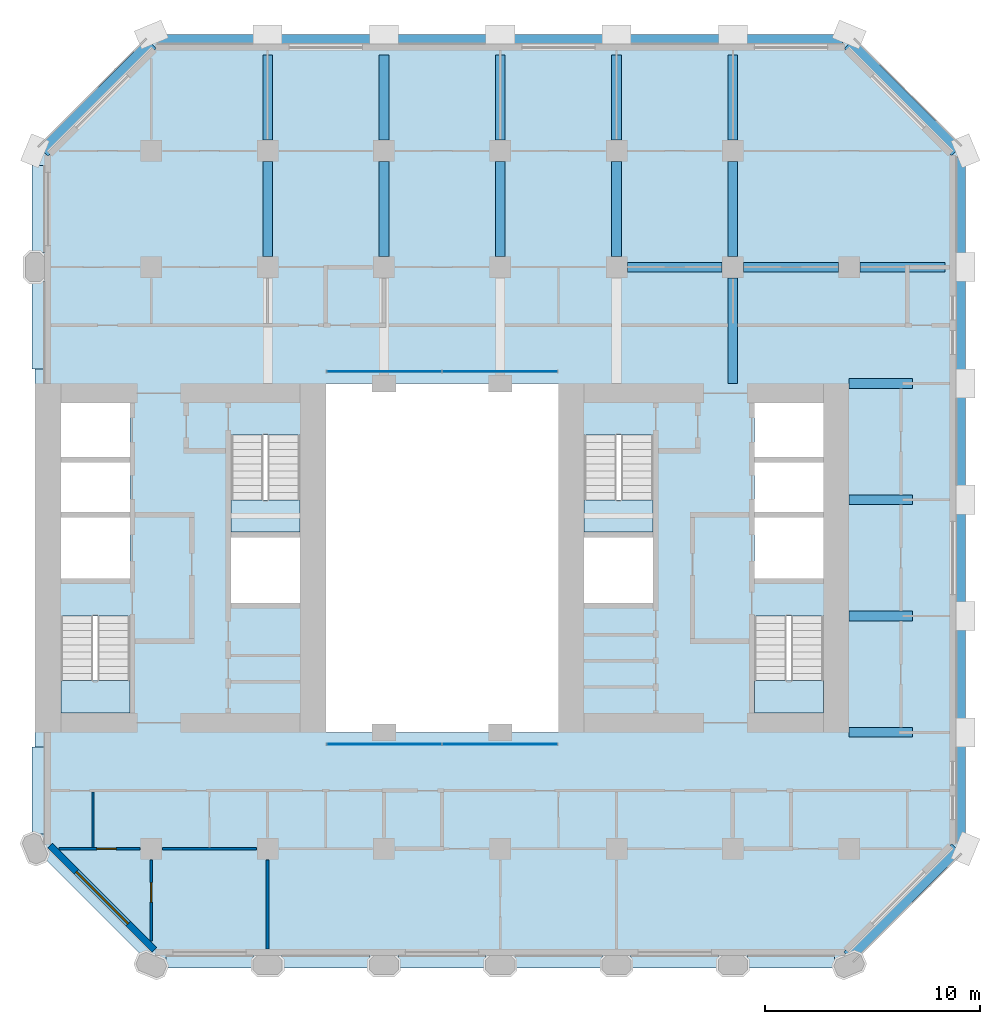
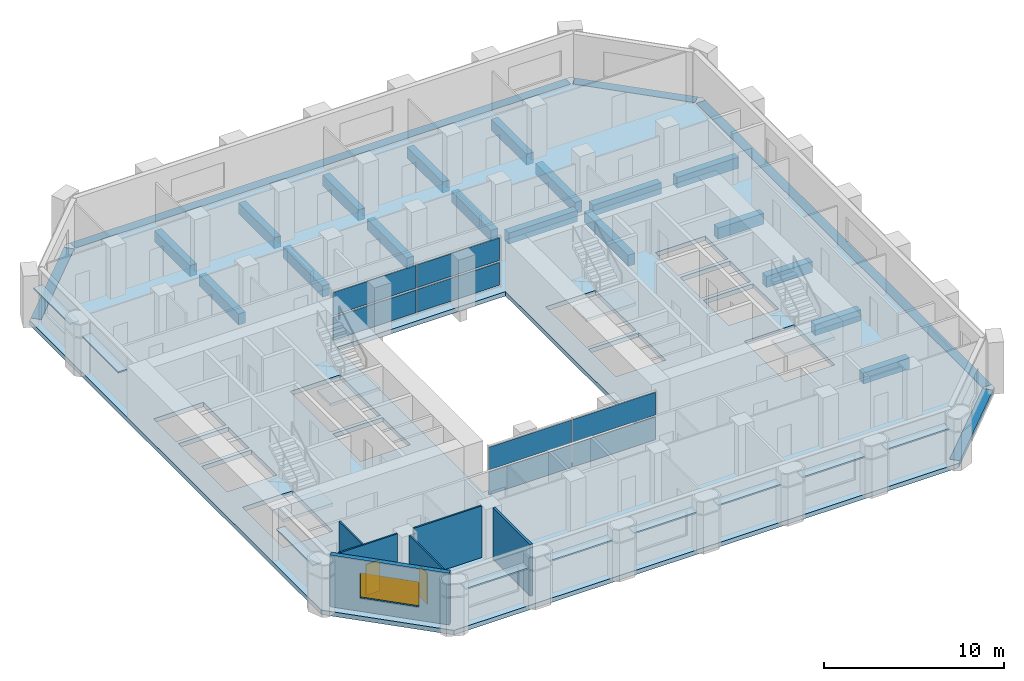
# One storey, part 3 of 11: 23 beams, 17 plates, 6 walls, 5 slabs, 2 doors, 1 window, 3 openings, 6 elements without a shape of their own.
"""IFC4 building model written with IfcOpenShell, lengths in metres."""

from ifc_helpers import new_model, si_unit, direction, frame, frame_2d, origin, origin_2d, place, context, subcontext, project, spatial, polyline, rectangle, outline, extrude, material, layer, layer_set, material_profile, profile_set, type_object, element, fill, aggregate, save


model = new_model("IFC4")

# Units and contexts
model_context = context("Model", 3, precision=1e-05, world=origin(), true_north=direction((0.0, 1.0)))
body_context = subcontext(model_context, "Body", "Model", "MODEL_VIEW")
ifc_project = project(units=[si_unit("LENGTHUNIT", "METRE"), si_unit("AREAUNIT", "SQUARE_METRE"), si_unit("VOLUMEUNIT", "CUBIC_METRE"), si_unit("PLANEANGLEUNIT", "RADIAN"), si_unit("MASSUNIT", "GRAM", prefix="KILO")], contexts=[model_context])

# Site, building, storey
site_placement = place(None, origin())
site = spatial("IfcSite", under=ifc_project, at=site_placement, CompositionType="ELEMENT")
building_placement = place(site_placement, origin())
building = spatial("IfcBuilding", under=site, at=building_placement, Name="Tabaq Tower and Sports Hall", CompositionType="ELEMENT")
storey_placement = place(building_placement, frame((0.0, 0.0, 72.60009765625)))
storey = spatial("IfcBuildingStorey", under=building, at=storey_placement, Name="L16", CompositionType="ELEMENT", Elevation=72.60009765625)

# Beams
ifc_material_1 = material(Name="Concrete C40/50", Category="concrete")
ifc_material_profile_1 = material_profile(ifc_material_1, rectangle(XDim=0.449951171875, YDim=0.75, at=origin_2d()), Name="CB 450x750")
ifc_profile_set_1 = profile_set([ifc_material_profile_1], Name="Concrete C40/50")
beam_type_1 = type_object("IfcBeamType", Name="PT CANTILEVER BEAM CB 450x750 C40/50", PredefinedType="BEAM", material=ifc_profile_set_1)
for number, where, z_axis, x_axis, name in (
    (1, (46.14990234375, 16.199951171875, -0.675048828125), (-1.0, 0.0, 0.0), (0.0, -1.0, 0.0), "Cantilever Beam L16 E3 span 1"),
    (2, (46.14990234375, 21.60009765625, -0.675048828125), (-1.0, 0.0, 0.0), (0.0, -1.0, 0.0), "Cantilever Beam L16 E4 span 1"),
    (3, (46.14990234375, 27.0, -0.675048828125), (-1.0, 0.0, 0.0), (0.0, -1.0, 0.0), "Cantilever Beam L16 E5 span 1"),
    (4, (46.14990234375, 32.39990234375, -0.675048828125), (-1.0, 0.0, 0.0), (0.0, -1.0, 0.0), "Cantilever Beam L16 E6 span 1"),
):
    element("IfcBeam", number, at=place(storey_placement, frame(where, z_axis=z_axis, x_axis=x_axis)), inside=storey, type_object=beam_type_1, Name=name, PredefinedType="BEAM", context=body_context, shape_type="SweptSolid", body=[
        extrude(rectangle(XDim=0.449951171875, YDim=0.75, at=origin_2d()), origin(), (0.0, 0.0, 1.0), 2.949951171875),
    ])
beam_1_placement = place(storey_placement, frame((47.64990234375, 37.800048828125, -0.675048828125), z_axis=(-1.0, 0.0, 0.0), x_axis=(0.0, -1.0, 0.0)))
element("IfcBeam", 5, at=beam_1_placement, inside=storey, type_object=beam_type_1, Name="Cantilever Beam L16 E7 span 1", PredefinedType="BEAM", context=body_context, shape_type="SweptSolid", body=[
    extrude(rectangle(XDim=0.449951171875, YDim=0.75, at=origin_2d()), origin(), (0.0, 0.0, 1.0), 3.949951171875),
])
beam_2_placement = place(storey_placement, frame((42.699951171875, 37.800048828125, -0.675048828125), z_axis=(-1.0, 0.0, 0.0), x_axis=(0.0, -1.0, 0.0)))
element("IfcBeam", 6, at=beam_2_placement, inside=storey, type_object=beam_type_1, Name="Cantilever Beam L16 E7 span 2", PredefinedType="BEAM", context=body_context, shape_type="SweptSolid", body=[
    extrude(rectangle(XDim=0.449951171875, YDim=0.75, at=origin_2d()), origin(), (0.0, 0.0, 1.0), 4.39990234375),
])
beam_3_placement = place(storey_placement, frame((37.300048828125, 37.800048828125, -0.675048828125), z_axis=(-1.0, 0.0, 0.0), x_axis=(0.0, -1.0, 0.0)))
element("IfcBeam", 7, at=beam_3_placement, inside=storey, type_object=beam_type_1, Name="Cantilever Beam L16 E7 span 3", PredefinedType="BEAM", context=body_context, shape_type="SweptSolid", body=[
    extrude(rectangle(XDim=0.449951171875, YDim=0.75, at=origin_2d()), origin(), (0.0, 0.0, 1.0), 4.400146484375),
])
beam_4_placement = place(storey_placement, frame((16.199951171875, 47.64990234375, -0.675048828125), z_axis=(0.0, -1.0, 0.0), x_axis=(1.0, 0.0, 0.0)))
element("IfcBeam", 8, at=beam_4_placement, inside=storey, type_object=beam_type_1, Name="Cantilever Beam L16 N3 span 1", PredefinedType="BEAM", context=body_context, shape_type="SweptSolid", body=[
    extrude(rectangle(XDim=0.449951171875, YDim=0.75, at=origin_2d()), origin(), (0.0, 0.0, 1.0), 3.949951171875),
])
beam_5_placement = place(storey_placement, frame((16.199951171875, 42.699951171875, -0.675048828125), z_axis=(0.0, -1.0, 0.0), x_axis=(1.0, 0.0, 0.0)))
element("IfcBeam", 9, at=beam_5_placement, inside=storey, type_object=beam_type_1, Name="Cantilever Beam L16 N3 span 2", PredefinedType="BEAM", context=body_context, shape_type="SweptSolid", body=[
    extrude(rectangle(XDim=0.449951171875, YDim=0.75, at=origin_2d()), origin(), (0.0, 0.0, 1.0), 4.39990234375),
])
beam_6_placement = place(storey_placement, frame((21.60009765625, 47.64990234375, -0.675048828125), z_axis=(0.0, -1.0, 0.0), x_axis=(1.0, 0.0, 0.0)))
element("IfcBeam", 10, at=beam_6_placement, inside=storey, type_object=beam_type_1, Name="Cantilever Beam L16 N4 span 1", PredefinedType="BEAM", context=body_context, shape_type="SweptSolid", body=[
    extrude(rectangle(XDim=0.449951171875, YDim=0.75, at=origin_2d()), origin(), (0.0, 0.0, 1.0), 3.949951171875),
])
beam_7_placement = place(storey_placement, frame((21.60009765625, 42.699951171875, -0.675048828125), z_axis=(0.0, -1.0, 0.0), x_axis=(1.0, 0.0, 0.0)))
element("IfcBeam", 11, at=beam_7_placement, inside=storey, type_object=beam_type_1, Name="Cantilever Beam L16 N4 span 2", PredefinedType="BEAM", context=body_context, shape_type="SweptSolid", body=[
    extrude(rectangle(XDim=0.449951171875, YDim=0.75, at=origin_2d()), origin(), (0.0, 0.0, 1.0), 4.39990234375),
])
beam_8_placement = place(storey_placement, frame((27.0, 47.64990234375, -0.675048828125), z_axis=(0.0, -1.0, 0.0), x_axis=(1.0, 0.0, 0.0)))
element("IfcBeam", 12, at=beam_8_placement, inside=storey, type_object=beam_type_1, Name="Cantilever Beam L16 N5 span 1", PredefinedType="BEAM", context=body_context, shape_type="SweptSolid", body=[
    extrude(rectangle(XDim=0.449951171875, YDim=0.75, at=origin_2d()), origin(), (0.0, 0.0, 1.0), 3.949951171875),
])
beam_9_placement = place(storey_placement, frame((27.0, 42.699951171875, -0.675048828125), z_axis=(0.0, -1.0, 0.0), x_axis=(1.0, 0.0, 0.0)))
element("IfcBeam", 13, at=beam_9_placement, inside=storey, type_object=beam_type_1, Name="Cantilever Beam L16 N5 span 2", PredefinedType="BEAM", context=body_context, shape_type="SweptSolid", body=[
    extrude(rectangle(XDim=0.449951171875, YDim=0.75, at=origin_2d()), origin(), (0.0, 0.0, 1.0), 4.39990234375),
])
beam_10_placement = place(storey_placement, frame((32.39990234375, 47.64990234375, -0.675048828125), z_axis=(0.0, -1.0, 0.0), x_axis=(1.0, 0.0, 0.0)))
element("IfcBeam", 14, at=beam_10_placement, inside=storey, type_object=beam_type_1, Name="Cantilever Beam L16 N6 span 1", PredefinedType="BEAM", context=body_context, shape_type="SweptSolid", body=[
    extrude(rectangle(XDim=0.449951171875, YDim=0.75, at=origin_2d()), origin(), (0.0, 0.0, 1.0), 3.949951171875),
])
beam_11_placement = place(storey_placement, frame((32.39990234375, 42.699951171875, -0.675048828125), z_axis=(0.0, -1.0, 0.0), x_axis=(1.0, 0.0, 0.0)))
element("IfcBeam", 15, at=beam_11_placement, inside=storey, type_object=beam_type_1, Name="Cantilever Beam L16 N6 span 2", PredefinedType="BEAM", context=body_context, shape_type="SweptSolid", body=[
    extrude(rectangle(XDim=0.449951171875, YDim=0.75, at=origin_2d()), origin(), (0.0, 0.0, 1.0), 4.39990234375),
])
beam_12_placement = place(storey_placement, frame((37.800048828125, 47.64990234375, -0.675048828125), z_axis=(0.0, -1.0, 0.0), x_axis=(1.0, 0.0, 0.0)))
element("IfcBeam", 16, at=beam_12_placement, inside=storey, type_object=beam_type_1, Name="Cantilever Beam L16 N7 span 1", PredefinedType="BEAM", context=body_context, shape_type="SweptSolid", body=[
    extrude(rectangle(XDim=0.449951171875, YDim=0.75, at=origin_2d()), origin(), (0.0, 0.0, 1.0), 3.949951171875),
])
beam_13_placement = place(storey_placement, frame((37.800048828125, 42.699951171875, -0.675048828125), z_axis=(0.0, -1.0, 0.0), x_axis=(1.0, 0.0, 0.0)))
element("IfcBeam", 17, at=beam_13_placement, inside=storey, type_object=beam_type_1, Name="Cantilever Beam L16 N7 span 2", PredefinedType="BEAM", context=body_context, shape_type="SweptSolid", body=[
    extrude(rectangle(XDim=0.449951171875, YDim=0.75, at=origin_2d()), origin(), (0.0, 0.0, 1.0), 4.39990234375),
])
beam_14_placement = place(storey_placement, frame((37.800048828125, 37.300048828125, -0.675048828125), z_axis=(0.0, -1.0, 0.0), x_axis=(1.0, 0.0, 0.0)))
element("IfcBeam", 18, at=beam_14_placement, inside=storey, type_object=beam_type_1, Name="Cantilever Beam L16 N7 span 3", PredefinedType="BEAM", context=body_context, shape_type="SweptSolid", body=[
    extrude(rectangle(XDim=0.449951171875, YDim=0.75, at=origin_2d()), origin(), (0.0, 0.0, 1.0), 4.900146484375),
])
ifc_material_2 = material(Name="Concrete C40/50", Category="concrete")
ifc_material_profile_2 = material_profile(ifc_material_2, rectangle(XDim=0.60009765625, YDim=0.300048828125, at=origin_2d()), Name="EB 600x300")
ifc_profile_set_2 = profile_set([ifc_material_profile_2], Name="Concrete C40/50")
beam_type_2 = type_object("IfcBeamType", Name="PT EDGE BEAM EB 600x300 C40/50", PredefinedType="SPANDREL", material=ifc_profile_set_2)
beam_15_placement = place(storey_placement, frame((43.16455078125, 5.788818359375, -0.150146484375), z_axis=(0.707106781187, 0.707106781187, 0.0), x_axis=(-0.707106781187, 0.707106781187, 0.0)))
element("IfcBeam", 19, at=beam_15_placement, inside=storey, type_object=beam_type_2, Name="Edge Beam L16 1", PredefinedType="SPANDREL", context=body_context, shape_type="SweptSolid", body=[
    extrude(rectangle(XDim=0.60009765625, YDim=0.300048828125, at=origin_2d()), origin(), (0.0, 0.0, 1.0), 7.08837890625),
])
beam_16_placement = place(storey_placement, frame((48.300048828125, 11.0986328125, -0.150146484375), z_axis=(0.0, 1.0, 0.0), x_axis=(-1.0, 0.0, 0.0)))
element("IfcBeam", 20, at=beam_16_placement, inside=storey, type_object=beam_type_2, Name="Edge Beam L16 2", PredefinedType="SPANDREL", context=body_context, shape_type="SweptSolid", body=[
    extrude(rectangle(XDim=0.60009765625, YDim=0.300048828125, at=origin_2d()), origin(), (0.0, 0.0, 1.0), 31.802734375),
])
beam_17_placement = place(storey_placement, frame((48.1767578125, 43.198974609375, -0.150146484375), z_axis=(-0.707106781187, 0.707106781187, 0.0), x_axis=(-0.707106781187, -0.707106781187, 0.0)))
element("IfcBeam", 21, at=beam_17_placement, inside=storey, type_object=beam_type_2, Name="Edge Beam L16 3", PredefinedType="SPANDREL", context=body_context, shape_type="SweptSolid", body=[
    extrude(rectangle(XDim=0.60009765625, YDim=0.300048828125, at=origin_2d()), origin(), (0.0, 0.0, 1.0), 7.03955078125),
])
beam_18_placement = place(storey_placement, frame((42.9013671875, 48.300048828125, -0.150146484375), z_axis=(-1.0, 0.0, 0.0), x_axis=(0.0, -1.0, 0.0)))
element("IfcBeam", 22, at=beam_18_placement, inside=storey, type_object=beam_type_2, Name="Edge Beam L16 4", PredefinedType="SPANDREL", context=body_context, shape_type="SweptSolid", body=[
    extrude(rectangle(XDim=0.60009765625, YDim=0.300048828125, at=origin_2d()), origin(), (0.0, 0.0, 1.0), 31.802734375),
])
beam_19_placement = place(storey_placement, frame((10.801025390625, 48.1767578125, -0.150146484375), z_axis=(-0.707106781187, -0.707106781187, 0.0), x_axis=(0.707106781187, -0.707106781187, 0.0)))
element("IfcBeam", 23, at=beam_19_placement, inside=storey, type_object=beam_type_2, Name="Edge Beam L16 5", PredefinedType="SPANDREL", context=body_context, shape_type="SweptSolid", body=[
    extrude(rectangle(XDim=0.60009765625, YDim=0.300048828125, at=origin_2d()), origin(), (0.0, 0.0, 1.0), 7.08837890625),
])

# Curtain wall, plates
ifc_material_3 = material(Name="Aluminium alloy 6063-T6 framed glazing", Category="aluminium")
curtain_wall_type = type_object("IfcCurtainWallType", Name="CW1 curtain wall", PredefinedType="USERDEFINED", material=ifc_material_3)
curtain_wall_1_placement = place(storey_placement, origin())
curtain_wall_1 = element("IfcCurtainWall", 24, at=curtain_wall_1_placement, inside=storey, type_object=curtain_wall_type, Name="Atrium glazing L16 S", ObjectType="ATRIUM ENCLOSURE", PredefinedType="USERDEFINED")
ifc_material_4 = material(Name="Clear low-emissivity glass 28 mm", Category="glass")
ifc_layer_1 = layer(ifc_material_4, 0.028076171875)
ifc_layer_set_1 = layer_set([ifc_layer_1], Name="CW1 glass panel 28")
plate_type_1 = type_object("IfcPlateType", Name="CW1 glass panel 28", PredefinedType="CURTAIN_PANEL", material=ifc_layer_set_1)
plate_1_placement = place(storey_placement, frame((21.614990234375, 15.64990234375, 0.139892578125), z_axis=(0.0, 0.0, 1.0), x_axis=(1.0, 0.0, 0.0)))
plate_1 = element("IfcPlate", 25, at=plate_1_placement, type_object=plate_type_1, Name="CW1 panel 1.1", PredefinedType="CURTAIN_PANEL", context=body_context, shape_type="SweptSolid", body=[
    extrude(rectangle(XDim=5.31005859375, YDim=0.028076171875, at=origin_2d()), origin(), (0.0, 0.0, 1.0), 1.5400390625),
])
plate_2_placement = place(storey_placement, frame((21.614990234375, 15.64990234375, 1.81982421875), z_axis=(0.0, 0.0, 1.0), x_axis=(1.0, 0.0, 0.0)))
plate_2 = element("IfcPlate", 26, at=plate_2_placement, type_object=plate_type_1, Name="CW1 panel 1.2", PredefinedType="CURTAIN_PANEL", context=body_context, shape_type="SweptSolid", body=[
    extrude(rectangle(XDim=5.31005859375, YDim=0.028076171875, at=origin_2d()), origin(), (0.0, 0.0, 1.0), 1.5400390625),
])
plate_3_placement = place(storey_placement, frame((26.985107421875, 15.64990234375, 0.139892578125), z_axis=(0.0, 0.0, 1.0), x_axis=(1.0, 0.0, 0.0)))
plate_3 = element("IfcPlate", 27, at=plate_3_placement, type_object=plate_type_1, Name="CW1 panel 2.1", PredefinedType="CURTAIN_PANEL", context=body_context, shape_type="SweptSolid", body=[
    extrude(rectangle(XDim=5.31005859375, YDim=0.028076171875, at=origin_2d()), origin(), (0.0, 0.0, 1.0), 1.5400390625),
])
plate_4_placement = place(storey_placement, frame((26.985107421875, 15.64990234375, 1.81982421875), z_axis=(0.0, 0.0, 1.0), x_axis=(1.0, 0.0, 0.0)))
plate_4 = element("IfcPlate", 28, at=plate_4_placement, type_object=plate_type_1, Name="CW1 panel 2.2", PredefinedType="CURTAIN_PANEL", context=body_context, shape_type="SweptSolid", body=[
    extrude(rectangle(XDim=5.31005859375, YDim=0.028076171875, at=origin_2d()), origin(), (0.0, 0.0, 1.0), 1.5400390625),
])
aggregate(curtain_wall_1, [plate_1, plate_2, plate_3, plate_4])

curtain_wall_2_placement = place(storey_placement, origin())
curtain_wall_2 = element("IfcCurtainWall", 29, at=curtain_wall_2_placement, inside=storey, type_object=curtain_wall_type, Name="Atrium glazing L16 N", ObjectType="ATRIUM ENCLOSURE", PredefinedType="USERDEFINED")
plate_5_placement = place(storey_placement, frame((21.614990234375, 32.949951171875, 0.139892578125), z_axis=(0.0, 0.0, 1.0), x_axis=(1.0, 0.0, 0.0)))
plate_5 = element("IfcPlate", 30, at=plate_5_placement, type_object=plate_type_1, Name="CW1 panel 1.1", PredefinedType="CURTAIN_PANEL", context=body_context, shape_type="SweptSolid", body=[
    extrude(rectangle(XDim=5.31005859375, YDim=0.028076171875, at=origin_2d()), origin(), (0.0, 0.0, 1.0), 1.5400390625),
])
plate_6_placement = place(storey_placement, frame((21.614990234375, 32.949951171875, 1.81982421875), z_axis=(0.0, 0.0, 1.0), x_axis=(1.0, 0.0, 0.0)))
plate_6 = element("IfcPlate", 31, at=plate_6_placement, type_object=plate_type_1, Name="CW1 panel 1.2", PredefinedType="CURTAIN_PANEL", context=body_context, shape_type="SweptSolid", body=[
    extrude(rectangle(XDim=5.31005859375, YDim=0.028076171875, at=origin_2d()), origin(), (0.0, 0.0, 1.0), 1.5400390625),
])
plate_7_placement = place(storey_placement, frame((26.985107421875, 32.949951171875, 0.139892578125), z_axis=(0.0, 0.0, 1.0), x_axis=(1.0, 0.0, 0.0)))
plate_7 = element("IfcPlate", 32, at=plate_7_placement, type_object=plate_type_1, Name="CW1 panel 2.1", PredefinedType="CURTAIN_PANEL", context=body_context, shape_type="SweptSolid", body=[
    extrude(rectangle(XDim=5.31005859375, YDim=0.028076171875, at=origin_2d()), origin(), (0.0, 0.0, 1.0), 1.5400390625),
])
plate_8_placement = place(storey_placement, frame((26.985107421875, 32.949951171875, 1.81982421875), z_axis=(0.0, 0.0, 1.0), x_axis=(1.0, 0.0, 0.0)))
plate_8 = element("IfcPlate", 33, at=plate_8_placement, type_object=plate_type_1, Name="CW1 panel 2.2", PredefinedType="CURTAIN_PANEL", context=body_context, shape_type="SweptSolid", body=[
    extrude(rectangle(XDim=5.31005859375, YDim=0.028076171875, at=origin_2d()), origin(), (0.0, 0.0, 1.0), 1.5400390625),
])
aggregate(curtain_wall_2, [plate_5, plate_6, plate_7, plate_8])

# Stair, slab
ifc_material_5 = material(Name="Concrete C40/50", Category="concrete")
stair_type = type_object("IfcStairType", Name="Exit stair", PredefinedType="HALF_TURN_STAIR", material=ifc_material_5)
stair_1_placement = place(storey_placement, origin())
stair_1 = element("IfcStair", 34, at=stair_1_placement, inside=storey, type_object=stair_type, Name="L16 Exit stair ST1", PredefinedType="HALF_TURN_STAIR")
ifc_material_6 = material(Name="Concrete C40/50", Category="concrete")
ifc_layer_2 = layer(ifc_material_6, 0.199951171875)
ifc_layer_set_2 = layer_set([ifc_layer_2], Name="Exit stair landing")
slab_type_1 = type_object("IfcSlabType", Name="Exit stair landing", PredefinedType="LANDING", material=ifc_layer_set_2)
slab_1_placement = place(storey_placement, frame((0.0, 0.0, 1.699951171875)))
slab_1 = element("IfcSlab", 35, at=slab_1_placement, type_object=slab_type_1, Name="ST1 landing 1", PredefinedType="LANDING", context=body_context, shape_type="SweptSolid", body=[
    extrude(outline(polyline([(6.60009765625, 18.60009765625), (6.60009765625, 17.10009765625), (9.800048828125, 17.10009765625), (9.800048828125, 18.60009765625), (6.60009765625, 18.60009765625)])), origin(), (0.0, 0.0, 1.0), 0.199951171875),
])
aggregate(stair_1, [slab_1])

stair_2_placement = place(storey_placement, origin())
stair_2 = element("IfcStair", 36, at=stair_2_placement, inside=storey, type_object=stair_type, Name="L16 Exit stair ST2", PredefinedType="HALF_TURN_STAIR")
slab_2_placement = place(storey_placement, frame((0.0, 0.0, 1.699951171875)))
slab_2 = element("IfcSlab", 37, at=slab_2_placement, type_object=slab_type_1, Name="ST2 landing 1", PredefinedType="LANDING", context=body_context, shape_type="SweptSolid", body=[
    extrude(outline(polyline([(14.5, 27.0), (14.5, 25.5), (17.699951171875, 25.5), (17.699951171875, 27.0), (14.5, 27.0)])), origin(), (0.0, 0.0, 1.0), 0.199951171875),
])
aggregate(stair_2, [slab_2])

stair_3_placement = place(storey_placement, origin())
stair_3 = element("IfcStair", 38, at=stair_3_placement, inside=storey, type_object=stair_type, Name="L16 Exit stair ST3", PredefinedType="HALF_TURN_STAIR")
slab_3_placement = place(storey_placement, frame((0.0, 0.0, 1.699951171875)))
slab_3 = element("IfcSlab", 39, at=slab_3_placement, type_object=slab_type_1, Name="ST3 landing 1", PredefinedType="LANDING", context=body_context, shape_type="SweptSolid", body=[
    extrude(outline(polyline([(38.800048828125, 18.60009765625), (38.800048828125, 17.10009765625), (42.0, 17.10009765625), (42.0, 18.60009765625), (38.800048828125, 18.60009765625)])), origin(), (0.0, 0.0, 1.0), 0.199951171875),
])
aggregate(stair_3, [slab_3])

stair_4_placement = place(storey_placement, origin())
stair_4 = element("IfcStair", 40, at=stair_4_placement, inside=storey, type_object=stair_type, Name="L16 Exit stair ST4", PredefinedType="HALF_TURN_STAIR")
slab_4_placement = place(storey_placement, frame((0.0, 0.0, 1.699951171875)))
slab_4 = element("IfcSlab", 41, at=slab_4_placement, type_object=slab_type_1, Name="ST4 landing 1", PredefinedType="LANDING", context=body_context, shape_type="SweptSolid", body=[
    extrude(outline(polyline([(30.89990234375, 27.0), (30.89990234375, 25.5), (34.10009765625, 25.5), (34.10009765625, 27.0), (30.89990234375, 27.0)])), origin(), (0.0, 0.0, 1.0), 0.199951171875),
])
aggregate(stair_4, [slab_4])

# Slab
ifc_material_7 = material(Name="Concrete C40/50", Category="concrete")
ifc_layer_3 = layer(ifc_material_7, 0.300048828125)
ifc_layer_set_3 = layer_set([ifc_layer_3], Name="PT FLOOR SLAB 300 C40/50")
slab_type_2 = type_object("IfcSlabType", Name="PT FLOOR SLAB 300 C40/50", PredefinedType="FLOOR", material=ifc_layer_set_3)
slab_5_placement = place(storey_placement, frame((0.0, 0.0, -0.300048828125)))
element("IfcSlab", 42, at=slab_5_placement, inside=storey, type_object=slab_type_2, Name="Floor Slab L16", PredefinedType="FLOOR", context=body_context, shape_type="SweptSolid", body=[
    extrude(outline(polyline([(5.39990234375, 43.199951171875), (5.39990234375, 10.800048828125), (10.800048828125, 5.39990234375), (43.199951171875, 5.39990234375), (43.376708984375, 5.57666015625), (42.952392578125, 6.0009765625), (47.964599609375, 11.01318359375), (48.035400390625, 10.9423828125), (48.388916015625, 10.5888671875), (48.60009765625, 10.800048828125), (48.60009765625, 11.0986328125), (48.10009765625, 11.0986328125), (48.0, 11.0986328125), (48.0, 42.9013671875), (48.10009765625, 42.9013671875), (48.60009765625, 42.9013671875), (48.60009765625, 43.199951171875), (48.388916015625, 43.4111328125), (48.035400390625, 43.0576171875), (47.964599609375, 42.98681640625), (42.98681640625, 47.964599609375), (43.0576171875, 48.035400390625), (43.4111328125, 48.388916015625), (43.199951171875, 48.60009765625), (42.9013671875, 48.60009765625), (42.9013671875, 48.10009765625), (42.9013671875, 48.0), (11.0986328125, 48.0), (11.0986328125, 48.10009765625), (11.0986328125, 48.60009765625), (10.800048828125, 48.60009765625), (10.5888671875, 48.388916015625), (10.9423828125, 48.035400390625), (11.01318359375, 47.964599609375), (6.0009765625, 42.952392578125), (5.57666015625, 43.376708984375), (5.39990234375, 43.199951171875)]), holes=[polyline([(6.60009765625, 21.599365234375), (9.800048828125, 21.599365234375), (9.800048828125, 17.10009765625), (6.60009765625, 17.10009765625), (6.60009765625, 21.599365234375)]), polyline([(17.699951171875, 25.25), (17.699951171875, 22.199951171875), (14.5, 22.199951171875), (14.5, 25.25), (17.699951171875, 25.25)]), polyline([(18.89990234375, 32.39990234375), (29.699951171875, 32.39990234375), (29.699951171875, 16.199951171875), (18.89990234375, 16.199951171875), (18.89990234375, 32.39990234375)]), polyline([(6.60009765625, 26.175048828125), (9.800048828125, 26.175048828125), (9.800048828125, 23.35009765625), (6.60009765625, 23.35009765625), (6.60009765625, 26.175048828125)]), polyline([(9.800048828125, 28.72509765625), (9.800048828125, 26.425048828125), (6.60009765625, 26.425048828125), (6.60009765625, 28.72509765625), (9.800048828125, 28.72509765625)]), polyline([(17.699951171875, 29.99951171875), (17.699951171875, 25.5), (14.5, 25.5), (14.5, 29.99951171875), (17.699951171875, 29.99951171875)]), polyline([(6.60009765625, 31.5), (9.800048828125, 31.5), (9.800048828125, 28.97509765625), (6.60009765625, 28.97509765625), (6.60009765625, 31.5)]), polyline([(42.0, 21.599365234375), (42.0, 17.10009765625), (38.800048828125, 17.10009765625), (38.800048828125, 21.599365234375), (42.0, 21.599365234375)]), polyline([(34.10009765625, 25.25), (34.10009765625, 22.199951171875), (30.89990234375, 22.199951171875), (30.89990234375, 25.25), (34.10009765625, 25.25)]), polyline([(42.0, 26.175048828125), (42.0, 23.35009765625), (38.800048828125, 23.35009765625), (38.800048828125, 26.175048828125), (42.0, 26.175048828125)]), polyline([(42.0, 28.72509765625), (42.0, 26.425048828125), (38.800048828125, 26.425048828125), (38.800048828125, 28.72509765625), (42.0, 28.72509765625)]), polyline([(34.10009765625, 29.99951171875), (34.10009765625, 25.5), (30.89990234375, 25.5), (30.89990234375, 29.99951171875), (34.10009765625, 29.99951171875)]), polyline([(42.0, 31.5), (42.0, 28.97509765625), (38.800048828125, 28.97509765625), (38.800048828125, 31.5), (42.0, 31.5)])]), origin(), (0.0, 0.0, 1.0), 0.300048828125),
])

# Plates
ifc_material_8 = material(Name="White precast concrete C60/75 blade", Category="concrete")
ifc_layer_4 = layer(ifc_material_8, 0.10009765625)
ifc_layer_set_4 = layer_set([ifc_layer_4], Name="White precast concrete C60/75 sunshade 100")
plate_type_2 = type_object("IfcPlateType", Name="White precast concrete C60/75 sunshade 100", PredefinedType="USERDEFINED", material=ifc_layer_set_4)
for number, where, z_axis, x_axis, name in (
    (43, (13.5, 5.550048828125, 2.599853515625), (0.0, 0.0, 1.0), (1.0, 0.0, 0.0), "Sunshade L16 S"),
    (44, (18.89990234375, 5.550048828125, 2.599853515625), (0.0, 0.0, 1.0), (1.0, 0.0, 0.0), "Sunshade L16 S"),
    (45, (24.300048828125, 5.550048828125, 2.599853515625), (0.0, 0.0, 1.0), (1.0, 0.0, 0.0), "Sunshade L16 S"),
    (46, (29.699951171875, 5.550048828125, 2.599853515625), (0.0, 0.0, 1.0), (1.0, 0.0, 0.0), "Sunshade L16 S"),
    (47, (35.10009765625, 5.550048828125, 2.599853515625), (0.0, 0.0, 1.0), (1.0, 0.0, 0.0), "Sunshade L16 S"),
    (48, (40.5, 5.550048828125, 2.599853515625), (0.0, 0.0, 1.0), (1.0, 0.0, 0.0), "Sunshade L16 S"),
    (49, (5.550048828125, 40.5, 2.599853515625), (0.0, 0.0, 1.0), (0.0, -1.0, 0.0), "Sunshade L16 W"),
    (50, (5.550048828125, 35.10009765625, 2.599853515625), (0.0, 0.0, 1.0), (0.0, -1.0, 0.0), "Sunshade L16 W"),
    (51, (5.550048828125, 13.5, 2.599853515625), (0.0, 0.0, 1.0), (0.0, -1.0, 0.0), "Sunshade L16 W"),
):
    element("IfcPlate", number, at=place(storey_placement, frame(where, z_axis=z_axis, x_axis=x_axis)), inside=storey, type_object=plate_type_2, Name=name, ObjectType="SUNSHADE", PredefinedType="USERDEFINED", context=body_context, shape_type="SweptSolid", body=[
        extrude(rectangle(XDim=4.050048828125, YDim=0.60009765625, at=origin_2d()), origin(), (0.0, 0.0, 1.0), 0.10009765625),
    ])

# Wall
ifc_material_9 = material(Name="Gypsum board on steel studs", Category="steel")
ifc_layer_5 = layer(ifc_material_9, 0.10009765625)
ifc_layer_set_5 = layer_set([ifc_layer_5], Name="Partition 100 Gypsum board")
wall_type_1 = type_object("IfcWallType", Name="Partition 100 Gypsum board", PredefinedType="PARTITIONING", material=ifc_layer_set_5)
wall_1_placement = place(storey_placement, frame((8.10009765625, 10.85009765625, 0.0), z_axis=(0.0, 0.0, 1.0), x_axis=(0.0, 1.0, 0.0)))
element("IfcWall", 52, at=wall_1_placement, inside=storey, type_object=wall_type_1, Name="Partition wall L16", PredefinedType="PARTITIONING", context=body_context, shape_type="SweptSolid", body=[
    extrude(rectangle(XDim=2.574951171875, YDim=0.10009765625, at=frame_2d((1.28759765625, 0.0))), origin(), (0.0, 0.0, 1.0), 3.5),
])

# Wall, opening, door
wall_2_placement = place(storey_placement, frame((6.51220703125, 10.800048828125, 0.0), z_axis=(0.0, 0.0, 1.0), x_axis=(1.0, 0.0, 0.0)))
wall_2 = element("IfcWall", 53, at=wall_2_placement, inside=storey, type_object=wall_type_1, Name="Partition wall L16", PredefinedType="PARTITIONING", context=body_context, shape_type="SweptSolid", body=[
    extrude(rectangle(XDim=3.767822265625, YDim=0.10009765625, at=frame_2d((1.8837890625, 0.0))), origin(), (0.0, 0.0, 1.0), 3.5),
])
opening_1_placement = place(wall_2_placement, frame((1.7578125, 0.0, 0.0)))
opening_1 = element("IfcOpeningElement", 54, at=opening_1_placement, cuts=wall_2, Name="Opening L16-031", PredefinedType="OPENING", context=body_context, shape_type="SweptSolid", body=[
    extrude(rectangle(XDim=0.89990234375, YDim=2.10009765625, at=frame_2d((0.449951171875, 1.050048828125))), frame((0.0, 0.050048828125, 0.0), z_axis=(0.0, -1.0, 0.0), x_axis=(1.0, 0.0, 0.0)), (0.0, 0.0, 1.0), 0.10009765625),
])
ifc_material_10 = material(Name="Timber leaf in steel frame", Category="steel")
door_type_1 = type_object("IfcDoorType", Name="Internal door 900 right hand", OperationType="SINGLE_SWING_RIGHT", PredefinedType="DOOR", material=ifc_material_10)
door_1_placement = place(opening_1_placement, origin())
door_1 = element("IfcDoor", 55, at=door_1_placement, inside=storey, type_object=door_type_1, Name="Internal door L16-031", OperationType="SINGLE_SWING_RIGHT", OverallHeight=2.10009765625, OverallWidth=0.89990234375, PredefinedType="DOOR", context=body_context, shape_type="SweptSolid", body=[
    extrude(rectangle(XDim=0.89990234375, YDim=2.10009765625, at=frame_2d((0.449951171875, 1.050048828125))), frame((0.0, 0.02490234375, 0.0), z_axis=(0.0, -1.0, 0.0), x_axis=(1.0, 0.0, 0.0)), (0.0, 0.0, 1.0), 0.050048828125),
])
fill(opening_1, door_1)

# Wall
wall_3_placement = place(storey_placement, frame((11.320068359375, 10.800048828125, 0.0), z_axis=(0.0, 0.0, 1.0), x_axis=(1.0, 0.0, 0.0)))
element("IfcWall", 56, at=wall_3_placement, inside=storey, type_object=wall_type_1, Name="Partition wall L16", PredefinedType="PARTITIONING", context=body_context, shape_type="SweptSolid", body=[
    extrude(rectangle(XDim=4.35986328125, YDim=0.10009765625, at=frame_2d((2.179931640625, 0.0))), origin(), (0.0, 0.0, 1.0), 3.5),
])

# Wall, opening, door
wall_4_placement = place(storey_placement, frame((10.800048828125, 6.51220703125, 0.0), z_axis=(0.0, 0.0, 1.0), x_axis=(0.0, 1.0, 0.0)))
wall_4 = element("IfcWall", 57, at=wall_4_placement, inside=storey, type_object=wall_type_1, Name="Partition wall L16", PredefinedType="PARTITIONING", context=body_context, shape_type="SweptSolid", body=[
    extrude(rectangle(XDim=3.767822265625, YDim=0.10009765625, at=frame_2d((1.8837890625, 0.0))), origin(), (0.0, 0.0, 1.0), 3.5),
])
opening_2_placement = place(wall_4_placement, frame((1.81298828125, 0.0, 0.0)))
opening_2 = element("IfcOpeningElement", 58, at=opening_2_placement, cuts=wall_4, Name="Opening L16-024", PredefinedType="OPENING", context=body_context, shape_type="SweptSolid", body=[
    extrude(rectangle(XDim=0.89990234375, YDim=2.10009765625, at=frame_2d((0.449951171875, 1.050048828125))), frame((0.0, 0.050048828125, 0.0), z_axis=(0.0, -1.0, 0.0), x_axis=(1.0, 0.0, 0.0)), (0.0, 0.0, 1.0), 0.10009765625),
])
ifc_material_11 = material(Name="Timber leaf in steel frame", Category="steel")
door_type_2 = type_object("IfcDoorType", Name="Internal door 900 left hand", OperationType="SINGLE_SWING_LEFT", PredefinedType="DOOR", material=ifc_material_11)
door_2_placement = place(opening_2_placement, origin())
door_2 = element("IfcDoor", 59, at=door_2_placement, inside=storey, type_object=door_type_2, Name="Internal door L16-024", OperationType="SINGLE_SWING_LEFT", OverallHeight=2.10009765625, OverallWidth=0.89990234375, PredefinedType="DOOR", context=body_context, shape_type="SweptSolid", body=[
    extrude(rectangle(XDim=0.89990234375, YDim=2.10009765625, at=frame_2d((0.449951171875, 1.050048828125))), frame((0.0, 0.02490234375, 0.0), z_axis=(0.0, -1.0, 0.0), x_axis=(1.0, 0.0, 0.0)), (0.0, 0.0, 1.0), 0.050048828125),
])
fill(opening_2, door_2)

# Wall
ifc_material_12 = material(Name="Blockwork", Category="masonry")
ifc_layer_6 = layer(ifc_material_12, 0.14990234375)
ifc_layer_set_6 = layer_set([ifc_layer_6], Name="Separating wall 150 Blockwork")
wall_type_2 = type_object("IfcWallType", Name="Separating wall 150 Blockwork", PredefinedType="PARTITIONING", material=ifc_layer_set_6)
wall_5_placement = place(storey_placement, frame((16.199951171875, 6.15087890625, 0.0), z_axis=(0.0, 0.0, 1.0), x_axis=(0.0, 1.0, 0.0)))
element("IfcWall", 60, at=wall_5_placement, inside=storey, type_object=wall_type_2, Name="Separating wall L16", PredefinedType="PARTITIONING", context=body_context, shape_type="SweptSolid", body=[
    extrude(rectangle(XDim=4.129150390625, YDim=0.14990234375, at=frame_2d((2.064453125, 0.0))), origin(), (0.0, 0.0, 1.0), 3.5),
])

# Wall, opening, window
ifc_material_13 = material(Name="White precast concrete C60/75", Category="concrete")
ifc_layer_7 = layer(ifc_material_13, 0.300048828125)
ifc_layer_set_7 = layer_set([ifc_layer_7], Name="White precast concrete C60/75 external wall 300")
wall_type_3 = type_object("IfcWallType", Name="White precast concrete C60/75 external wall 300", PredefinedType="SOLIDWALL", material=ifc_layer_set_7)
wall_6_placement = place(storey_placement, frame((6.098876953125, 10.949462890625, 0.0), z_axis=(0.0, 0.0, 1.0), x_axis=(0.707106781187, -0.707106781187, 0.0)))
wall_6 = element("IfcWall", 61, at=wall_6_placement, inside=storey, type_object=wall_type_3, Name="External Wall L16 SW", PredefinedType="SOLIDWALL", context=body_context, shape_type="SweptSolid", body=[
    extrude(rectangle(XDim=6.85986328125, YDim=0.300048828125, at=frame_2d((3.429931640625, 0.0))), origin(), (0.0, 0.0, 1.0), 3.5),
])
opening_3_placement = place(wall_6_placement, frame((1.729736328125, 0.0, 0.89990234375)))
opening_3 = element("IfcOpeningElement", 62, at=opening_3_placement, cuts=wall_6, Name="Opening W1A", PredefinedType="OPENING", context=body_context, shape_type="SweptSolid", body=[
    extrude(rectangle(XDim=3.39990234375, YDim=1.699951171875, at=frame_2d((1.699951171875, 0.85009765625))), frame((0.0, 0.16015625, 0.0), z_axis=(0.0, -1.0, 0.0), x_axis=(1.0, 0.0, 0.0)), (0.0, 0.0, 1.0), 0.320068359375),
])
ifc_material_14 = material(Name="Aluminium framed clear glazing", Category="aluminium")
window_type = type_object("IfcWindowType", Name="Window W1A", PartitioningType="SINGLE_PANEL", PredefinedType="WINDOW", material=ifc_material_14)
window_placement = place(opening_3_placement, origin())
window = element("IfcWindow", 63, at=window_placement, inside=storey, type_object=window_type, Name="Window W1A L16", OverallHeight=1.699951171875, OverallWidth=3.39990234375, PartitioningType="SINGLE_PANEL", PredefinedType="WINDOW", context=body_context, shape_type="SweptSolid", body=[
    extrude(rectangle(XDim=3.39990234375, YDim=1.699951171875, at=frame_2d((1.699951171875, 0.85009765625))), frame((0.0, 0.030029296875, 0.0), z_axis=(0.0, -1.0, 0.0), x_axis=(1.0, 0.0, 0.0)), (0.0, 0.0, 1.0), 0.06005859375),
])
fill(opening_3, window)

save(model, "model.ifc")
